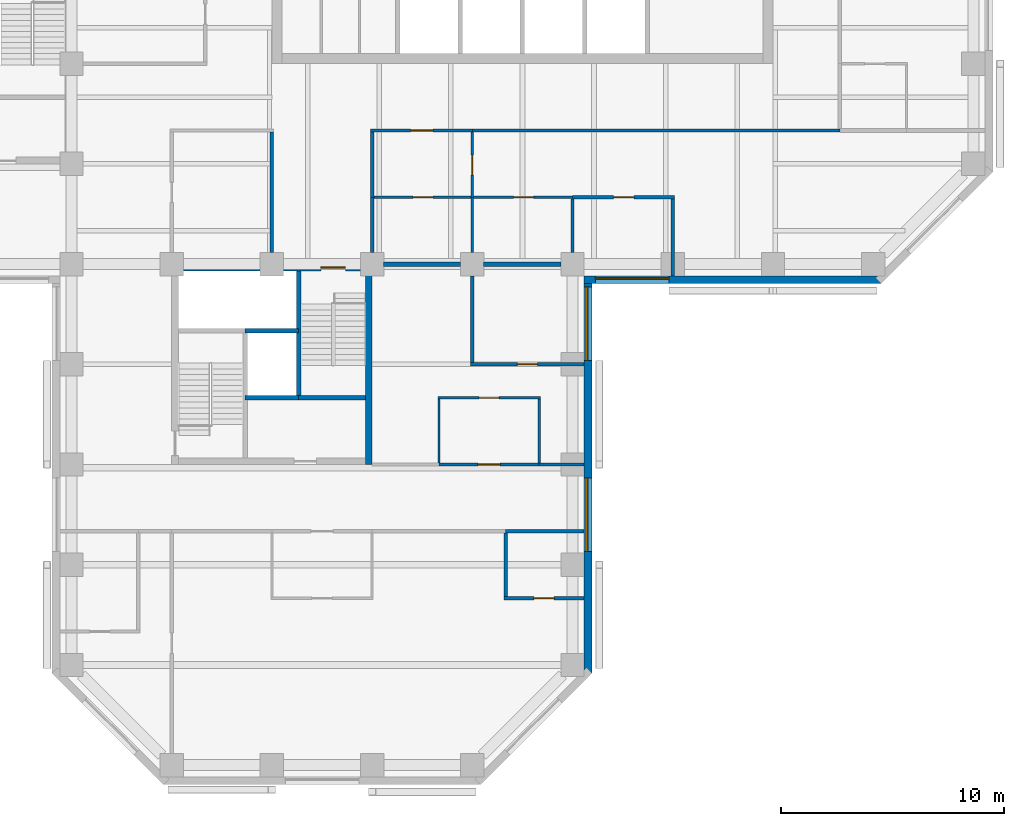
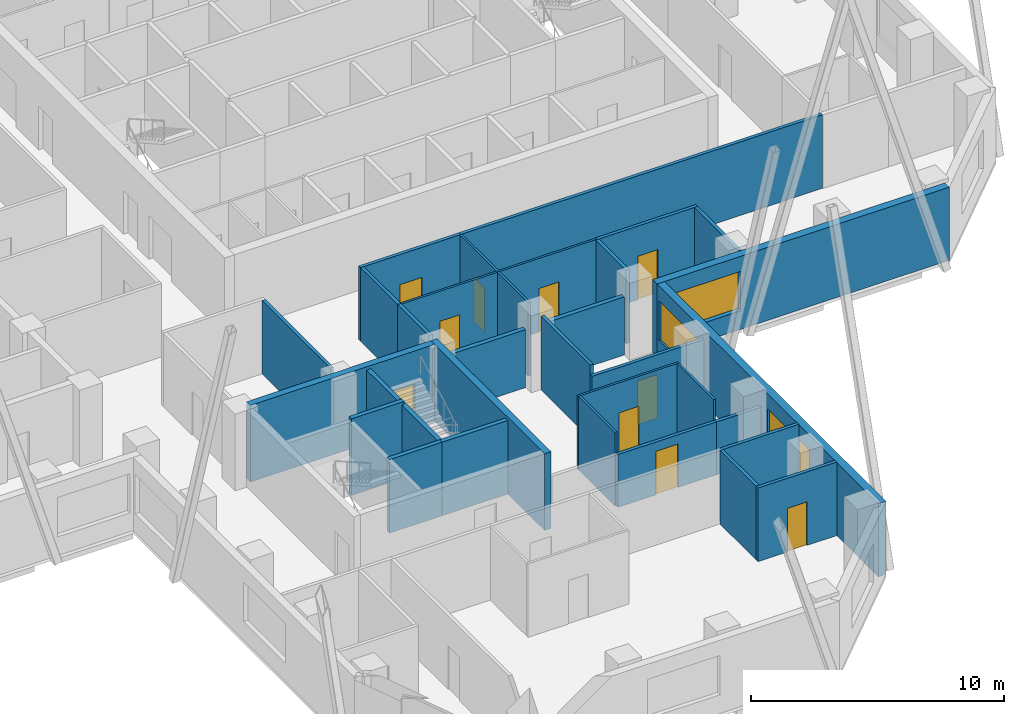
# One storey, part 4 of 10: 32 walls, 10 doors, 3 windows, 13 openings.
"""IFC4 building model written with IfcOpenShell, lengths in metres."""

from ifc_helpers import new_model, si_unit, direction, frame, frame_2d, origin, place, context, subcontext, project, spatial, rectangle, extrude, material, layer, layer_set, constituent, constituent_set, type_object, element, fill, save


model = new_model("IFC4")

# Units and contexts
model_context = context("Model", 3, precision=1e-05, world=origin(), true_north=direction((0.0, 1.0)))
body_context = subcontext(model_context, "Body", "Model", "MODEL_VIEW")
ifc_project = project(units=[si_unit("LENGTHUNIT", "METRE"), si_unit("AREAUNIT", "SQUARE_METRE"), si_unit("VOLUMEUNIT", "CUBIC_METRE"), si_unit("PLANEANGLEUNIT", "RADIAN"), si_unit("MASSUNIT", "GRAM", prefix="KILO")], contexts=[model_context])

# Site, building, storey
site_placement = place(None, origin())
site = spatial("IfcSite", under=ifc_project, at=site_placement, CompositionType="ELEMENT")
building_placement = place(site_placement, origin())
building = spatial("IfcBuilding", under=site, at=building_placement, Name="Quoin Convention Tower", CompositionType="ELEMENT")
storey_placement = place(building_placement, frame((0.0, 0.0, 97.39990234375)))
storey = spatial("IfcBuildingStorey", under=building, at=storey_placement, Name="L25", CompositionType="ELEMENT", Elevation=97.39990234375)

# Wall, opening, door
ifc_material_1 = material(Name="Plasterboard")
ifc_layer_1 = layer(ifc_material_1, 0.012451171875, Name="Finish")
ifc_material_2 = material(Name="Steel stud framing", Category="steel")
ifc_layer_2 = layer(ifc_material_2, 0.125, Name="Structure")
ifc_layer_3 = layer(ifc_material_1, 0.012451171875, Name="Finish")
ifc_layer_set_1 = layer_set([ifc_layer_1, ifc_layer_2, ifc_layer_3], Name="Steel stud framing")
wall_type_1 = type_object("IfcWallType", Name="Acoustic partition 150", PredefinedType="PARTITIONING", material=ifc_layer_set_1)
wall_1_placement = place(storey_placement, frame((58.5, 43.5, 0.0), z_axis=(0.0, 0.0, 1.0), x_axis=(1.0, 0.0, 0.0)))
wall_1 = element("IfcWall", 1, at=wall_1_placement, inside=storey, type_object=wall_type_1, Name="pw-L25-020", PredefinedType="PARTITIONING", context=body_context, shape_type="SweptSolid", body=[
    extrude(rectangle(XDim=4.574951171875, YDim=0.14990234375, at=frame_2d((2.28759765625, 0.0))), origin(), (0.0, 0.0, 1.0), 3.550048828125),
])
opening_1_placement = place(wall_1_placement, frame((1.85009765625, 0.0, 0.0)))
opening_1 = element("IfcOpeningElement", 2, at=opening_1_placement, cuts=wall_1, Name="Opening DOL3-10", PredefinedType="OPENING", context=body_context, shape_type="SweptSolid", body=[
    extrude(rectangle(XDim=0.89990234375, YDim=2.10009765625, at=frame_2d((0.449951171875, 1.050048828125))), frame((0.0, 0.0849609375, 0.0), z_axis=(0.0, -1.0, 0.0), x_axis=(1.0, 0.0, 0.0)), (0.0, 0.0, 1.0), 0.169921875),
])
ifc_material_3 = material(Name="Steel door leaf", Category="steel")
door_type_1 = type_object("IfcDoorType", Name="Office door 900 x 2100", OperationType="SINGLE_SWING_RIGHT", PredefinedType="DOOR", material=ifc_material_3)
door_1_placement = place(opening_1_placement, origin())
door_1 = element("IfcDoor", 3, at=door_1_placement, inside=storey, type_object=door_type_1, Name="dr-L25-16", OperationType="SINGLE_SWING_RIGHT", OverallHeight=2.10009765625, OverallWidth=0.89990234375, PredefinedType="DOOR", context=body_context, shape_type="SweptSolid", body=[
    extrude(rectangle(XDim=0.89990234375, YDim=2.10009765625, at=frame_2d((0.449951171875, 1.050048828125))), frame((0.0, 0.02490234375, 0.0), z_axis=(0.0, -1.0, 0.0), x_axis=(1.0, 0.0, 0.0)), (0.0, 0.0, 1.0), 0.050048828125),
])
fill(opening_1, door_1)

# Walls
wall_2_placement = place(storey_placement, frame((54.0, 36.074951171875, 0.0), z_axis=(0.0, 0.0, 1.0), x_axis=(0.0, 1.0, 0.0)))
element("IfcWall", 4, at=wall_2_placement, inside=storey, type_object=wall_type_1, Name="pw-L25-056", PredefinedType="PARTITIONING", context=body_context, shape_type="SweptSolid", body=[
    extrude(rectangle(XDim=3.900146484375, YDim=0.14990234375, at=frame_2d((1.9501953125, 0.0))), origin(), (0.0, 0.0, 1.0), 3.550048828125),
])
wall_3_placement = place(storey_placement, frame((63.0, 39.97509765625, 0.0), z_axis=(0.0, 0.0, 1.0), x_axis=(0.0, 1.0, 0.0)))
element("IfcWall", 5, at=wall_3_placement, inside=storey, type_object=wall_type_1, Name="pw-L25-059", PredefinedType="PARTITIONING", context=body_context, shape_type="SweptSolid", body=[
    extrude(rectangle(XDim=3.449951171875, YDim=0.14990234375, at=frame_2d((1.72509765625, 0.0))), origin(), (0.0, 0.0, 1.0), 3.550048828125),
])
wall_4_placement = place(storey_placement, frame((58.5, 41.02490234375, 0.0), z_axis=(0.0, 0.0, 1.0), x_axis=(0.0, 1.0, 0.0)))
element("IfcWall", 6, at=wall_4_placement, inside=storey, type_object=wall_type_1, Name="pw-L25-064", PredefinedType="PARTITIONING", context=body_context, shape_type="SweptSolid", body=[
    extrude(rectangle(XDim=2.400146484375, YDim=0.14990234375, at=frame_2d((1.2001953125, 0.0))), origin(), (0.0, 0.0, 1.0), 3.550048828125),
])

# Wall, opening, door
ifc_layer_4 = layer(ifc_material_1, 0.012451171875, Name="Finish")
ifc_layer_5 = layer(ifc_material_2, 0.125, Name="Structure")
ifc_layer_6 = layer(ifc_material_1, 0.012451171875, Name="Finish")
ifc_layer_set_2 = layer_set([ifc_layer_4, ifc_layer_5, ifc_layer_6], Name="Steel stud framing")
wall_type_2 = type_object("IfcWallType", Name="Acoustic partition 150 under beam 454", PredefinedType="PARTITIONING", material=ifc_layer_set_2)
wall_5_placement = place(storey_placement, frame((53.925048828125, 36.0, 0.0), z_axis=(0.0, 0.0, 1.0), x_axis=(1.0, 0.0, 0.0)))
wall_5 = element("IfcWall", 7, at=wall_5_placement, inside=storey, type_object=wall_type_2, Name="pw-L25-014", PredefinedType="PARTITIONING", context=body_context, shape_type="SweptSolid", body=[
    extrude(rectangle(XDim=5.099853515625, YDim=0.14990234375, at=frame_2d((2.5498046875, 0.0))), origin(), (0.0, 0.0, 1.0), 3.09619140625),
])
opening_2_placement = place(wall_5_placement, frame((2.10009765625, 0.0, 0.0)))
opening_2 = element("IfcOpeningElement", 8, at=opening_2_placement, cuts=wall_5, Name="Opening DOL3-07", PredefinedType="OPENING", context=body_context, shape_type="SweptSolid", body=[
    extrude(rectangle(XDim=0.89990234375, YDim=2.10009765625, at=frame_2d((0.449951171875, 1.050048828125))), frame((0.0, 0.0849609375, 0.0), z_axis=(0.0, -1.0, 0.0), x_axis=(1.0, 0.0, 0.0)), (0.0, 0.0, 1.0), 0.169921875),
])
door_2_placement = place(opening_2_placement, frame((0.89990234375, 0.0, 0.0), z_axis=(0.0, 0.0, 1.0), x_axis=(-1.0, 0.0, 0.0)))
door_2 = element("IfcDoor", 9, at=door_2_placement, inside=storey, type_object=door_type_1, Name="dr-L25-33", OperationType="SINGLE_SWING_LEFT", OverallHeight=2.10009765625, OverallWidth=0.89990234375, PredefinedType="DOOR", context=body_context, shape_type="SweptSolid", body=[
    extrude(rectangle(XDim=0.89990234375, YDim=2.10009765625, at=frame_2d((0.449951171875, 1.050048828125))), frame((0.0, 0.02490234375, 0.0), z_axis=(0.0, -1.0, 0.0), x_axis=(1.0, 0.0, 0.0)), (0.0, 0.0, 1.0), 0.050048828125),
])
fill(opening_2, door_2)

# Wall, opening, window
ifc_material_4 = material(Name="Brick masonry", Category="masonry")
ifc_layer_7 = layer(ifc_material_4, 0.35009765625)
ifc_layer_set_3 = layer_set([ifc_layer_7], Name="Brick masonry")
wall_type_3 = type_object("IfcWallType", Name="Brick facade wall", PredefinedType="STANDARD", material=ifc_layer_set_3)
wall_6_placement = place(storey_placement, frame((59.02490234375, 39.800048828125, 0.0), z_axis=(0.0, 0.0, 1.0), x_axis=(1.0, 0.0, 0.0)))
wall_6 = element("IfcWall", 10, at=wall_6_placement, inside=storey, type_object=wall_type_3, Name="fw-L25-58500_40500", PredefinedType="STANDARD", context=body_context, shape_type="SweptSolid", body=[
    extrude(rectangle(XDim=13.33740234375, YDim=0.35009765625, at=frame_2d((6.668701171875, 0.0))), origin(), (0.0, 0.0, 1.0), 3.525146484375),
])
opening_3_placement = place(wall_6_placement, frame((0.5, 0.0, 0.89990234375)))
opening_3 = element("IfcOpeningElement", 11, at=opening_3_placement, cuts=wall_6, Name="Opening W-02", PredefinedType="OPENING", context=body_context, shape_type="SweptSolid", body=[
    extrude(rectangle(XDim=3.300048828125, YDim=1.89990234375, at=frame_2d((1.64990234375, 0.949951171875))), frame((0.0, 0.18505859375, 0.0), z_axis=(0.0, -1.0, 0.0), x_axis=(1.0, 0.0, 0.0)), (0.0, 0.0, 1.0), 0.3701171875),
])
ifc_material_5 = material(Name="Aluminium", Category="aluminium")
ifc_constituent_1 = constituent(ifc_material_5, Name="Frame")
ifc_material_6 = material(Name="Insulated glass", Category="glass")
ifc_constituent_2 = constituent(ifc_material_6, Name="Glazing")
ifc_constituent_set = constituent_set(constituents=[ifc_constituent_1, ifc_constituent_2], Name="Aluminium")
window_type = type_object("IfcWindowType", Name="Office window", PartitioningType="DOUBLE_PANEL_VERTICAL", PredefinedType="WINDOW", material=ifc_constituent_set)
window_1_placement = place(opening_3_placement, origin())
window_1 = element("IfcWindow", 12, at=window_1_placement, inside=storey, type_object=window_type, Name="win-L25-60750_39800", OverallHeight=1.89990234375, OverallWidth=3.300048828125, PartitioningType="SINGLE_PANEL", PredefinedType="WINDOW", context=body_context, shape_type="SweptSolid", body=[
    extrude(rectangle(XDim=3.300048828125, YDim=1.89990234375, at=frame_2d((1.64990234375, 0.949951171875))), frame((0.0, 0.0849609375, 0.0), z_axis=(0.0, -1.0, 0.0), x_axis=(1.0, 0.0, 0.0)), (0.0, 0.0, 1.0), 0.06005859375),
])
fill(opening_3, window_1)

# Wall, openings, windows
wall_7_placement = place(storey_placement, frame((59.199951171875, 22.1376953125, 0.0), z_axis=(0.0, 0.0, 1.0), x_axis=(0.0, 1.0, 0.0)))
wall_7 = element("IfcWall", 13, at=wall_7_placement, inside=storey, type_object=wall_type_3, Name="fw-L25-58500_22500", PredefinedType="STANDARD", context=body_context, shape_type="SweptSolid", body=[
    extrude(rectangle(XDim=17.83740234375, YDim=0.35009765625, at=frame_2d((8.918701171875, 0.0))), origin(), (0.0, 0.0, 1.0), 3.525146484375),
])
opening_4_placement = place(wall_7_placement, frame((5.46240234375, 0.0, 0.89990234375)))
opening_4 = element("IfcOpeningElement", 14, at=opening_4_placement, cuts=wall_7, Name="Opening W-02", PredefinedType="OPENING", context=body_context, shape_type="SweptSolid", body=[
    extrude(rectangle(XDim=3.300048828125, YDim=1.89990234375, at=frame_2d((1.64990234375, 0.949951171875))), frame((0.0, 0.18505859375, 0.0), z_axis=(0.0, -1.0, 0.0), x_axis=(1.0, 0.0, 0.0)), (0.0, 0.0, 1.0), 0.3701171875),
])
opening_5_placement = place(wall_7_placement, frame((14.037353515625, 0.0, 0.89990234375)))
opening_5 = element("IfcOpeningElement", 15, at=opening_5_placement, cuts=wall_7, Name="Opening W-02", PredefinedType="OPENING", context=body_context, shape_type="SweptSolid", body=[
    extrude(rectangle(XDim=3.300048828125, YDim=1.89990234375, at=frame_2d((1.64990234375, 0.949951171875))), frame((0.0, 0.18505859375, 0.0), z_axis=(0.0, -1.0, 0.0), x_axis=(1.0, 0.0, 0.0)), (0.0, 0.0, 1.0), 0.3701171875),
])
window_2_placement = place(opening_4_placement, origin())
window_2 = element("IfcWindow", 16, at=window_2_placement, inside=storey, type_object=window_type, Name="win-L25-59200_29250", OverallHeight=1.89990234375, OverallWidth=3.300048828125, PartitioningType="SINGLE_PANEL", PredefinedType="WINDOW", context=body_context, shape_type="SweptSolid", body=[
    extrude(rectangle(XDim=3.300048828125, YDim=1.89990234375, at=frame_2d((1.64990234375, 0.949951171875))), frame((0.0, 0.0849609375, 0.0), z_axis=(0.0, -1.0, 0.0), x_axis=(1.0, 0.0, 0.0)), (0.0, 0.0, 1.0), 0.06005859375),
])
fill(opening_4, window_2)
window_3_placement = place(opening_5_placement, origin())
window_3 = element("IfcWindow", 17, at=window_3_placement, inside=storey, type_object=window_type, Name="win-L25-59200_38250", OverallHeight=1.89990234375, OverallWidth=3.300048828125, PartitioningType="SINGLE_PANEL", PredefinedType="WINDOW", context=body_context, shape_type="SweptSolid", body=[
    extrude(rectangle(XDim=3.300048828125, YDim=1.89990234375, at=frame_2d((1.64990234375, 0.949951171875))), frame((0.0, 0.0849609375, 0.0), z_axis=(0.0, -1.0, 0.0), x_axis=(1.0, 0.0, 0.0)), (0.0, 0.0, 1.0), 0.06005859375),
])
fill(opening_5, window_3)

# Walls
ifc_material_7 = material(Name="Concrete C50", Category="concrete")
ifc_layer_8 = layer(ifc_material_7, 0.199951171875)
ifc_layer_set_4 = layer_set([ifc_layer_8], Name="Concrete C50")
wall_type_4 = type_object("IfcWallType", Name="Core shaft wall", PredefinedType="SOLIDWALL", material=ifc_layer_set_4)
wall_8_placement = place(storey_placement, frame((43.800048828125, 34.5, 0.0), z_axis=(0.0, 0.0, 1.0), x_axis=(1.0, 0.0, 0.0)))
element("IfcWall", 18, at=wall_8_placement, inside=storey, type_object=wall_type_4, Name="cr-P3-L25-h3000_3300", PredefinedType="SOLIDWALL", context=body_context, shape_type="SweptSolid", body=[
    extrude(rectangle(XDim=2.39990234375, YDim=0.199951171875, at=frame_2d((1.199951171875, 0.0))), origin(), (0.0, 0.0, 1.0), 3.550048828125),
])
wall_9_placement = place(storey_placement, frame((46.199951171875, 34.5, 0.0), z_axis=(0.0, 0.0, 1.0), x_axis=(1.0, 0.0, 0.0)))
element("IfcWall", 19, at=wall_9_placement, inside=storey, type_object=wall_type_4, Name="cr-P3-L25-h3000_5700", PredefinedType="SOLIDWALL", context=body_context, shape_type="SweptSolid", body=[
    extrude(rectangle(XDim=3.0, YDim=0.199951171875, at=frame_2d((1.5, 0.0))), origin(), (0.0, 0.0, 1.0), 3.550048828125),
])
wall_10_placement = place(storey_placement, frame((46.199951171875, 34.5, 0.0), z_axis=(0.0, 0.0, 1.0), x_axis=(0.0, 1.0, 0.0)))
element("IfcWall", 20, at=wall_10_placement, inside=storey, type_object=wall_type_4, Name="cr-P3-L25-v5700_3000", PredefinedType="SOLIDWALL", context=body_context, shape_type="SweptSolid", body=[
    extrude(rectangle(XDim=5.699951171875, YDim=0.199951171875, at=frame_2d((2.85009765625, 0.0))), origin(), (0.0, 0.0, 1.0), 3.550048828125),
])
ifc_layer_9 = layer(ifc_material_7, 0.199951171875)
ifc_layer_set_5 = layer_set([ifc_layer_9], Name="Concrete C50")
wall_type_5 = type_object("IfcWallType", Name="Core shaft wall to the floor level over", PredefinedType="SOLIDWALL", material=ifc_layer_set_5)
wall_11_placement = place(storey_placement, frame((43.800048828125, 37.5, 0.0), z_axis=(0.0, 0.0, 1.0), x_axis=(1.0, 0.0, 0.0)))
element("IfcWall", 21, at=wall_11_placement, inside=storey, type_object=wall_type_5, Name="cr-P3-L25-h6000_3300", PredefinedType="SOLIDWALL", context=body_context, shape_type="SweptSolid", body=[
    extrude(rectangle(XDim=2.39990234375, YDim=0.199951171875, at=frame_2d((1.199951171875, 0.0))), origin(), (0.0, 0.0, 1.0), 3.7001953125),
])
ifc_layer_10 = layer(ifc_material_1, 0.012451171875, Name="Finish")
ifc_layer_11 = layer(ifc_material_2, 0.125, Name="Structure")
ifc_layer_12 = layer(ifc_material_1, 0.012451171875, Name="Finish")
ifc_layer_set_6 = layer_set([ifc_layer_10, ifc_layer_11, ifc_layer_12], Name="Steel stud framing")
wall_type_6 = type_object("IfcWallType", Name="Corridor wall 150", PredefinedType="PARTITIONING", material=ifc_layer_set_6)
wall_12_placement = place(storey_placement, frame((55.5, 28.5, 0.0), z_axis=(0.0, 0.0, 1.0), x_axis=(1.0, 0.0, 0.0)))
element("IfcWall", 22, at=wall_12_placement, inside=storey, type_object=wall_type_6, Name="pw-L25-009", PredefinedType="PARTITIONING", context=body_context, shape_type="SweptSolid", body=[
    extrude(rectangle(XDim=3.52490234375, YDim=0.14990234375, at=frame_2d((1.762451171875, 0.0))), origin(), (0.0, 0.0, 1.0), 3.550048828125),
])

# Wall, opening, door
wall_13_placement = place(storey_placement, frame((49.425048828125, 46.5, 0.0), z_axis=(0.0, 0.0, 1.0), x_axis=(1.0, 0.0, 0.0)))
wall_13 = element("IfcWall", 23, at=wall_13_placement, inside=storey, type_object=wall_type_6, Name="pw-L25-024", PredefinedType="PARTITIONING", context=body_context, shape_type="SweptSolid", body=[
    extrude(rectangle(XDim=4.574951171875, YDim=0.14990234375, at=frame_2d((2.28759765625, 0.0))), origin(), (0.0, 0.0, 1.0), 3.550048828125),
])
opening_6_placement = place(wall_13_placement, frame((1.800048828125, 0.0, 0.0)))
opening_6 = element("IfcOpeningElement", 24, at=opening_6_placement, cuts=wall_13, Name="Opening DOL3-11", PredefinedType="OPENING", context=body_context, shape_type="SweptSolid", body=[
    extrude(rectangle(XDim=1.0, YDim=2.10009765625, at=frame_2d((0.5, 1.050048828125))), frame((0.0, 0.0849609375, 0.0), z_axis=(0.0, -1.0, 0.0), x_axis=(1.0, 0.0, 0.0)), (0.0, 0.0, 1.0), 0.169921875),
])
door_type_2 = type_object("IfcDoorType", Name="Tenancy entrance door 1000 x 2100", OperationType="DOUBLE_DOOR_SINGLE_SWING", PredefinedType="DOOR", material=ifc_material_3)
door_3_placement = place(opening_6_placement, frame((1.0, 0.0, 0.0), z_axis=(0.0, 0.0, 1.0), x_axis=(-1.0, 0.0, 0.0)))
door_3 = element("IfcDoor", 25, at=door_3_placement, inside=storey, type_object=door_type_2, Name="dr-L25-12", OperationType="DOUBLE_DOOR_SINGLE_SWING", OverallHeight=2.10009765625, OverallWidth=1.0, PredefinedType="DOOR", context=body_context, shape_type="SweptSolid", body=[
    extrude(rectangle(XDim=1.0, YDim=2.10009765625, at=frame_2d((0.5, 1.050048828125))), frame((0.0, 0.02490234375, 0.0), z_axis=(0.0, -1.0, 0.0), x_axis=(1.0, 0.0, 0.0)), (0.0, 0.0, 1.0), 0.050048828125),
])
fill(opening_6, door_3)

# Walls
wall_14_placement = place(storey_placement, frame((54.0, 46.5, 0.0), z_axis=(0.0, 0.0, 1.0), x_axis=(1.0, 0.0, 0.0)))
element("IfcWall", 26, at=wall_14_placement, inside=storey, type_object=wall_type_6, Name="pw-L25-025", PredefinedType="PARTITIONING", context=body_context, shape_type="SweptSolid", body=[
    extrude(rectangle(XDim=16.5, YDim=0.14990234375, at=frame_2d((8.25, 0.0))), origin(), (0.0, 0.0, 1.0), 3.550048828125),
])
wall_15_placement = place(storey_placement, frame((45.0, 41.02490234375, 0.0), z_axis=(0.0, 0.0, 1.0), x_axis=(0.0, 1.0, 0.0)))
element("IfcWall", 27, at=wall_15_placement, inside=storey, type_object=wall_type_6, Name="pw-L25-061", PredefinedType="PARTITIONING", context=body_context, shape_type="SweptSolid", body=[
    extrude(rectangle(XDim=5.400146484375, YDim=0.14990234375, at=frame_2d((2.7001953125, 0.0))), origin(), (0.0, 0.0, 1.0), 3.550048828125),
])
wall_16_placement = place(storey_placement, frame((49.5, 41.02490234375, 0.0), z_axis=(0.0, 0.0, 1.0), x_axis=(0.0, 1.0, 0.0)))
element("IfcWall", 28, at=wall_16_placement, inside=storey, type_object=wall_type_6, Name="pw-L25-062", PredefinedType="PARTITIONING", context=body_context, shape_type="SweptSolid", body=[
    extrude(rectangle(XDim=2.47509765625, YDim=0.14990234375, at=frame_2d((1.237548828125, 0.0))), origin(), (0.0, 0.0, 1.0), 3.550048828125),
])
wall_17_placement = place(storey_placement, frame((49.5, 43.5, 0.0), z_axis=(0.0, 0.0, 1.0), x_axis=(0.0, 1.0, 0.0)))
element("IfcWall", 29, at=wall_17_placement, inside=storey, type_object=wall_type_6, Name="pw-L25-066", PredefinedType="PARTITIONING", context=body_context, shape_type="SweptSolid", body=[
    extrude(rectangle(XDim=2.925048828125, YDim=0.14990234375, at=frame_2d((1.46240234375, 0.0))), origin(), (0.0, 0.0, 1.0), 3.550048828125),
])

# Wall, opening, door
ifc_layer_13 = layer(ifc_material_1, 0.012451171875, Name="Finish")
ifc_layer_14 = layer(ifc_material_2, 0.125, Name="Structure")
ifc_layer_15 = layer(ifc_material_1, 0.012451171875, Name="Finish")
ifc_layer_set_7 = layer_set([ifc_layer_13, ifc_layer_14, ifc_layer_15], Name="Steel stud framing")
wall_type_7 = type_object("IfcWallType", Name="Corridor wall 150 under beam 1000", PredefinedType="PARTITIONING", material=ifc_layer_set_7)
wall_18_placement = place(storey_placement, frame((52.5, 31.5, 0.0), z_axis=(0.0, 0.0, 1.0), x_axis=(1.0, 0.0, 0.0)))
wall_18 = element("IfcWall", 30, at=wall_18_placement, inside=storey, type_object=wall_type_7, Name="pw-L25-011", PredefinedType="PARTITIONING", context=body_context, shape_type="SweptSolid", body=[
    extrude(rectangle(XDim=4.5, YDim=0.14990234375, at=frame_2d((2.25, 0.0))), origin(), (0.0, 0.0, 1.0), 2.550048828125),
])
opening_7_placement = place(wall_18_placement, frame((1.75, 0.0, 0.0)))
opening_7 = element("IfcOpeningElement", 31, at=opening_7_placement, cuts=wall_18, Name="Opening DOL3-05", PredefinedType="OPENING", context=body_context, shape_type="SweptSolid", body=[
    extrude(rectangle(XDim=1.0, YDim=2.10009765625, at=frame_2d((0.5, 1.050048828125))), frame((0.0, 0.0849609375, 0.0), z_axis=(0.0, -1.0, 0.0), x_axis=(1.0, 0.0, 0.0)), (0.0, 0.0, 1.0), 0.169921875),
])
door_4_placement = place(opening_7_placement, origin())
door_4 = element("IfcDoor", 32, at=door_4_placement, inside=storey, type_object=door_type_2, Name="dr-L25-31", OperationType="DOUBLE_DOOR_SINGLE_SWING", OverallHeight=2.10009765625, OverallWidth=1.0, PredefinedType="DOOR", context=body_context, shape_type="SweptSolid", body=[
    extrude(rectangle(XDim=1.0, YDim=2.10009765625, at=frame_2d((0.5, 1.050048828125))), frame((0.0, 0.02490234375, 0.0), z_axis=(0.0, -1.0, 0.0), x_axis=(1.0, 0.0, 0.0)), (0.0, 0.0, 1.0), 0.050048828125),
])
fill(opening_7, door_4)

# Wall
wall_19_placement = place(storey_placement, frame((57.0, 31.5, 0.0), z_axis=(0.0, 0.0, 1.0), x_axis=(1.0, 0.0, 0.0)))
element("IfcWall", 33, at=wall_19_placement, inside=storey, type_object=wall_type_7, Name="pw-L25-012", PredefinedType="PARTITIONING", context=body_context, shape_type="SweptSolid", body=[
    extrude(rectangle(XDim=2.02490234375, YDim=0.14990234375, at=frame_2d((1.012451171875, 0.0))), origin(), (0.0, 0.0, 1.0), 2.550048828125),
])

# Wall, opening, door
ifc_material_8 = material(Name="Concrete C65", Category="concrete")
ifc_layer_16 = layer(ifc_material_8, 0.300048828125)
ifc_layer_set_8 = layer_set([ifc_layer_16], Name="Concrete C65")
wall_type_8 = type_object("IfcWallType", Name="RC CORE WALL 300 C65", PredefinedType="SHEAR", material=ifc_layer_set_8)
wall_20_placement = place(storey_placement, frame((40.800048828125, 40.35009765625, 0.0), z_axis=(0.0, 0.0, 1.0), x_axis=(1.0, 0.0, 0.0)))
wall_20 = element("IfcWall", 34, at=wall_20_placement, inside=storey, type_object=wall_type_8, Name="cwl-P3-L25-N", PredefinedType="SHEAR", context=body_context, shape_type="SweptSolid", body=[
    extrude(rectangle(XDim=8.39990234375, YDim=0.300048828125, at=frame_2d((4.199951171875, 0.0))), origin(), (0.0, 0.0, 1.0), 3.7001953125),
])
opening_8_placement = place(wall_20_placement, frame((6.39990234375, 0.0, 0.0)))
opening_8 = element("IfcOpeningElement", 35, at=opening_8_placement, cuts=wall_20, Name="Opening SD6", PredefinedType="OPENING", context=body_context, shape_type="SweptSolid", body=[
    extrude(rectangle(XDim=1.10009765625, YDim=2.10009765625, at=frame_2d((0.550048828125, 1.050048828125))), frame((0.0, 0.159912109375, 0.0), z_axis=(0.0, -1.0, 0.0), x_axis=(1.0, 0.0, 0.0)), (0.0, 0.0, 1.0), 0.320068359375),
])
door_type_3 = type_object("IfcDoorType", Name="Stair door 1100 x 2100", OperationType="SINGLE_SWING_RIGHT", PredefinedType="DOOR", material=ifc_material_3)
door_5_placement = place(opening_8_placement, frame((1.10009765625, 0.0, 0.0), z_axis=(0.0, 0.0, 1.0), x_axis=(-1.0, 0.0, 0.0)))
door_5 = element("IfcDoor", 36, at=door_5_placement, inside=storey, type_object=door_type_3, Name="cd-P3-L25-SB-N", OperationType="SINGLE_SWING_LEFT", OverallHeight=2.10009765625, OverallWidth=1.10009765625, PredefinedType="DOOR", context=body_context, shape_type="SweptSolid", body=[
    extrude(rectangle(XDim=1.10009765625, YDim=2.10009765625, at=frame_2d((0.550048828125, 1.050048828125))), frame((0.0, 0.02490234375, 0.0), z_axis=(0.0, -1.0, 0.0), x_axis=(1.0, 0.0, 0.0)), (0.0, 0.0, 1.0), 0.050048828125),
])
fill(opening_8, door_5)

# Wall
wall_21_placement = place(storey_placement, frame((49.35009765625, 31.5, 0.0), z_axis=(0.0, 0.0, 1.0), x_axis=(0.0, 1.0, 0.0)))
element("IfcWall", 37, at=wall_21_placement, inside=storey, type_object=wall_type_8, Name="cwl-P3-L25-E", PredefinedType="SHEAR", context=body_context, shape_type="SweptSolid", body=[
    extrude(rectangle(XDim=9.0, YDim=0.300048828125, at=frame_2d((4.5, 0.0))), origin(), (0.0, 0.0, 1.0), 3.7001953125),
])

# Wall, opening, door
ifc_layer_17 = layer(ifc_material_1, 0.012451171875, Name="Finish")
ifc_layer_18 = layer(ifc_material_2, 0.074951171875, Name="Structure")
ifc_layer_19 = layer(ifc_material_1, 0.012451171875, Name="Finish")
ifc_layer_set_9 = layer_set([ifc_layer_17, ifc_layer_18, ifc_layer_19], Name="Steel stud framing")
wall_type_9 = type_object("IfcWallType", Name="Stud partition 100", PredefinedType="PARTITIONING", material=ifc_layer_set_9)
wall_22_placement = place(storey_placement, frame((52.449951171875, 34.5, 0.0), z_axis=(0.0, 0.0, 1.0), x_axis=(1.0, 0.0, 0.0)))
wall_22 = element("IfcWall", 38, at=wall_22_placement, inside=storey, type_object=wall_type_9, Name="pw-L25-013", PredefinedType="PARTITIONING", context=body_context, shape_type="SweptSolid", body=[
    extrude(rectangle(XDim=4.60009765625, YDim=0.10009765625, at=frame_2d((2.300048828125, 0.0))), origin(), (0.0, 0.0, 1.0), 3.550048828125),
])
opening_9_placement = place(wall_22_placement, frame((1.85009765625, 0.0, 0.0)))
opening_9 = element("IfcOpeningElement", 39, at=opening_9_placement, cuts=wall_22, Name="Opening DOL3-06", PredefinedType="OPENING", context=body_context, shape_type="SweptSolid", body=[
    extrude(rectangle(XDim=0.89990234375, YDim=2.10009765625, at=frame_2d((0.449951171875, 1.050048828125))), frame((0.0, 0.06005859375, 0.0), z_axis=(0.0, -1.0, 0.0), x_axis=(1.0, 0.0, 0.0)), (0.0, 0.0, 1.0), 0.1201171875),
])
door_6_placement = place(opening_9_placement, origin())
door_6 = element("IfcDoor", 40, at=door_6_placement, inside=storey, type_object=door_type_1, Name="dr-L25-32", OperationType="SINGLE_SWING_RIGHT", OverallHeight=2.10009765625, OverallWidth=0.89990234375, PredefinedType="DOOR", context=body_context, shape_type="SweptSolid", body=[
    extrude(rectangle(XDim=0.89990234375, YDim=2.10009765625, at=frame_2d((0.449951171875, 1.050048828125))), frame((0.0, 0.02490234375, 0.0), z_axis=(0.0, -1.0, 0.0), x_axis=(1.0, 0.0, 0.0)), (0.0, 0.0, 1.0), 0.050048828125),
])
fill(opening_9, door_6)

wall_23_placement = place(storey_placement, frame((49.574951171875, 43.5, 0.0), z_axis=(0.0, 0.0, 1.0), x_axis=(1.0, 0.0, 0.0)))
wall_23 = element("IfcWall", 41, at=wall_23_placement, inside=storey, type_object=wall_type_9, Name="pw-L25-018", PredefinedType="PARTITIONING", context=body_context, shape_type="SweptSolid", body=[
    extrude(rectangle(XDim=4.375, YDim=0.10009765625, at=frame_2d((2.1875, 0.0))), origin(), (0.0, 0.0, 1.0), 3.550048828125),
])
opening_10_placement = place(wall_23_placement, frame((1.75, 0.0, 0.0)))
opening_10 = element("IfcOpeningElement", 42, at=opening_10_placement, cuts=wall_23, Name="Opening DOL3-08", PredefinedType="OPENING", context=body_context, shape_type="SweptSolid", body=[
    extrude(rectangle(XDim=0.89990234375, YDim=2.10009765625, at=frame_2d((0.449951171875, 1.050048828125))), frame((0.0, 0.06005859375, 0.0), z_axis=(0.0, -1.0, 0.0), x_axis=(1.0, 0.0, 0.0)), (0.0, 0.0, 1.0), 0.1201171875),
])
door_7_placement = place(opening_10_placement, origin())
door_7 = element("IfcDoor", 43, at=door_7_placement, inside=storey, type_object=door_type_1, Name="dr-L25-14", OperationType="SINGLE_SWING_RIGHT", OverallHeight=2.10009765625, OverallWidth=0.89990234375, PredefinedType="DOOR", context=body_context, shape_type="SweptSolid", body=[
    extrude(rectangle(XDim=0.89990234375, YDim=2.10009765625, at=frame_2d((0.449951171875, 1.050048828125))), frame((0.0, 0.02490234375, 0.0), z_axis=(0.0, -1.0, 0.0), x_axis=(1.0, 0.0, 0.0)), (0.0, 0.0, 1.0), 0.050048828125),
])
fill(opening_10, door_7)

wall_24_placement = place(storey_placement, frame((54.050048828125, 43.5, 0.0), z_axis=(0.0, 0.0, 1.0), x_axis=(1.0, 0.0, 0.0)))
wall_24 = element("IfcWall", 44, at=wall_24_placement, inside=storey, type_object=wall_type_9, Name="pw-L25-019", PredefinedType="PARTITIONING", context=body_context, shape_type="SweptSolid", body=[
    extrude(rectangle(XDim=4.449951171875, YDim=0.10009765625, at=frame_2d((2.22509765625, 0.0))), origin(), (0.0, 0.0, 1.0), 3.550048828125),
])
opening_11_placement = place(wall_24_placement, frame((1.800048828125, 0.0, 0.0)))
opening_11 = element("IfcOpeningElement", 45, at=opening_11_placement, cuts=wall_24, Name="Opening DOL3-09", PredefinedType="OPENING", context=body_context, shape_type="SweptSolid", body=[
    extrude(rectangle(XDim=0.89990234375, YDim=2.10009765625, at=frame_2d((0.449951171875, 1.050048828125))), frame((0.0, 0.06005859375, 0.0), z_axis=(0.0, -1.0, 0.0), x_axis=(1.0, 0.0, 0.0)), (0.0, 0.0, 1.0), 0.1201171875),
])
door_8_placement = place(opening_11_placement, origin())
door_8 = element("IfcDoor", 46, at=door_8_placement, inside=storey, type_object=door_type_1, Name="dr-L25-15", OperationType="SINGLE_SWING_RIGHT", OverallHeight=2.10009765625, OverallWidth=0.89990234375, PredefinedType="DOOR", context=body_context, shape_type="SweptSolid", body=[
    extrude(rectangle(XDim=0.89990234375, YDim=2.10009765625, at=frame_2d((0.449951171875, 1.050048828125))), frame((0.0, 0.02490234375, 0.0), z_axis=(0.0, -1.0, 0.0), x_axis=(1.0, 0.0, 0.0)), (0.0, 0.0, 1.0), 0.050048828125),
])
fill(opening_11, door_8)

# Walls
for number, where, z_axis, x_axis, name in (
    (47, (52.5, 31.574951171875, 0.0), (0.0, 0.0, 1.0), (0.0, 1.0, 0.0), "pw-L25-054"),
    (48, (57.0, 31.574951171875, 0.0), (0.0, 0.0, 1.0), (0.0, 1.0, 0.0), "pw-L25-055"),
):
    element("IfcWall", number, at=place(storey_placement, frame(where, z_axis=z_axis, x_axis=x_axis)), inside=storey, type_object=wall_type_9, Name=name, PredefinedType="PARTITIONING", context=body_context, shape_type="SweptSolid", body=[
        extrude(rectangle(XDim=2.875, YDim=0.10009765625, at=frame_2d((1.4375, 0.0))), origin(), (0.0, 0.0, 1.0), 3.550048828125),
    ])
wall_25_placement = place(storey_placement, frame((54.0, 41.02490234375, 0.0), z_axis=(0.0, 0.0, 1.0), x_axis=(0.0, 1.0, 0.0)))
element("IfcWall", 49, at=wall_25_placement, inside=storey, type_object=wall_type_9, Name="pw-L25-063", PredefinedType="PARTITIONING", context=body_context, shape_type="SweptSolid", body=[
    extrude(rectangle(XDim=2.47509765625, YDim=0.10009765625, at=frame_2d((1.237548828125, 0.0))), origin(), (0.0, 0.0, 1.0), 3.550048828125),
])

# Wall, opening, door
wall_26_placement = place(storey_placement, frame((54.0, 43.5, 0.0), z_axis=(0.0, 0.0, 1.0), x_axis=(0.0, 1.0, 0.0)))
wall_26 = element("IfcWall", 50, at=wall_26_placement, inside=storey, type_object=wall_type_9, Name="pw-L25-067", PredefinedType="PARTITIONING", context=body_context, shape_type="SweptSolid", body=[
    extrude(rectangle(XDim=2.925048828125, YDim=0.10009765625, at=frame_2d((1.46240234375, 0.0))), origin(), (0.0, 0.0, 1.0), 3.550048828125),
])
opening_12_placement = place(wall_26_placement, frame((1.0, 0.0, 0.0)))
opening_12 = element("IfcOpeningElement", 51, at=opening_12_placement, cuts=wall_26, Name="Opening DOL3-25", PredefinedType="OPENING", context=body_context, shape_type="SweptSolid", body=[
    extrude(rectangle(XDim=0.89990234375, YDim=2.10009765625, at=frame_2d((0.449951171875, 1.050048828125))), frame((0.0, 0.06005859375, 0.0), z_axis=(0.0, -1.0, 0.0), x_axis=(1.0, 0.0, 0.0)), (0.0, 0.0, 1.0), 0.1201171875),
])
door_9_placement = place(opening_12_placement, frame((0.89990234375, 0.0, 0.0), z_axis=(0.0, 0.0, 1.0), x_axis=(-1.0, 0.0, 0.0)))
door_9 = element("IfcDoor", 52, at=door_9_placement, inside=storey, type_object=door_type_1, Name="dr-L25-13", OperationType="SINGLE_SWING_RIGHT", OverallHeight=2.10009765625, OverallWidth=0.89990234375, PredefinedType="DOOR", context=body_context, shape_type="SweptSolid", body=[
    extrude(rectangle(XDim=0.89990234375, YDim=2.10009765625, at=frame_2d((0.449951171875, 1.050048828125))), frame((0.0, 0.02490234375, 0.0), z_axis=(0.0, -1.0, 0.0), x_axis=(1.0, 0.0, 0.0)), (0.0, 0.0, 1.0), 0.050048828125),
])
fill(opening_12, door_9)

# Walls
ifc_layer_20 = layer(ifc_material_1, 0.012451171875, Name="Finish")
ifc_layer_21 = layer(ifc_material_2, 0.175048828125, Name="Structure")
ifc_layer_22 = layer(ifc_material_1, 0.012451171875, Name="Finish")
ifc_layer_set_10 = layer_set([ifc_layer_20, ifc_layer_21, ifc_layer_22], Name="Steel stud framing")
wall_type_10 = type_object("IfcWallType", Name="Tenancy demising wall 200 under beam 750", PredefinedType="PARTITIONING", material=ifc_layer_set_10)
wall_27_placement = place(storey_placement, frame((50.014892578125, 40.5, 0.0), z_axis=(0.0, 0.0, 1.0), x_axis=(1.0, 0.0, 0.0)))
element("IfcWall", 53, at=wall_27_placement, inside=storey, type_object=wall_type_10, Name="pw-L25-015", PredefinedType="PARTITIONING", context=body_context, shape_type="SweptSolid", body=[
    extrude(rectangle(XDim=3.460205078125, YDim=0.199951171875, at=frame_2d((1.72998046875, 0.0))), origin(), (0.0, 0.0, 1.0), 2.800048828125),
])
wall_28_placement = place(storey_placement, frame((54.4951171875, 40.5, 0.0), z_axis=(0.0, 0.0, 1.0), x_axis=(1.0, 0.0, 0.0)))
element("IfcWall", 54, at=wall_28_placement, inside=storey, type_object=wall_type_10, Name="pw-L25-016", PredefinedType="PARTITIONING", context=body_context, shape_type="SweptSolid", body=[
    extrude(rectangle(XDim=3.47998046875, YDim=0.199951171875, at=frame_2d((1.739990234375, 0.0))), origin(), (0.0, 0.0, 1.0), 2.800048828125),
])

# Wall, opening, door
ifc_layer_23 = layer(ifc_material_1, 0.012451171875, Name="Finish")
ifc_layer_24 = layer(ifc_material_2, 0.125, Name="Structure")
ifc_layer_25 = layer(ifc_material_1, 0.012451171875, Name="Finish")
ifc_layer_set_11 = layer_set([ifc_layer_23, ifc_layer_24, ifc_layer_25], Name="Steel stud framing")
wall_type_11 = type_object("IfcWallType", Name="Wet area partition 150", PredefinedType="PARTITIONING", material=ifc_layer_set_11)
wall_29_placement = place(storey_placement, frame((55.425048828125, 25.5, 0.0), z_axis=(0.0, 0.0, 1.0), x_axis=(1.0, 0.0, 0.0)))
wall_29 = element("IfcWall", 55, at=wall_29_placement, inside=storey, type_object=wall_type_11, Name="pw-L25-003", PredefinedType="PARTITIONING", context=body_context, shape_type="SweptSolid", body=[
    extrude(rectangle(XDim=3.599853515625, YDim=0.14990234375, at=frame_2d((1.7998046875, 0.0))), origin(), (0.0, 0.0, 1.0), 3.550048828125),
])
opening_13_placement = place(wall_29_placement, frame((1.35009765625, 0.0, 0.0)))
opening_13 = element("IfcOpeningElement", 56, at=opening_13_placement, cuts=wall_29, Name="Opening DOL3-03", PredefinedType="OPENING", context=body_context, shape_type="SweptSolid", body=[
    extrude(rectangle(XDim=0.89990234375, YDim=2.10009765625, at=frame_2d((0.449951171875, 1.050048828125))), frame((0.0, 0.0849609375, 0.0), z_axis=(0.0, -1.0, 0.0), x_axis=(1.0, 0.0, 0.0)), (0.0, 0.0, 1.0), 0.169921875),
])
door_10_placement = place(opening_13_placement, frame((0.89990234375, 0.0, 0.0), z_axis=(0.0, 0.0, 1.0), x_axis=(-1.0, 0.0, 0.0)))
door_10 = element("IfcDoor", 57, at=door_10_placement, inside=storey, type_object=door_type_1, Name="dr-L25-09", OperationType="SINGLE_SWING_LEFT", OverallHeight=2.10009765625, OverallWidth=0.89990234375, PredefinedType="DOOR", context=body_context, shape_type="SweptSolid", body=[
    extrude(rectangle(XDim=0.89990234375, YDim=2.10009765625, at=frame_2d((0.449951171875, 1.050048828125))), frame((0.0, 0.02490234375, 0.0), z_axis=(0.0, -1.0, 0.0), x_axis=(1.0, 0.0, 0.0)), (0.0, 0.0, 1.0), 0.050048828125),
])
fill(opening_13, door_10)

# Wall
wall_30_placement = place(storey_placement, frame((55.5, 25.574951171875, 0.0), z_axis=(0.0, 0.0, 1.0), x_axis=(0.0, 1.0, 0.0)))
element("IfcWall", 58, at=wall_30_placement, inside=storey, type_object=wall_type_11, Name="pw-L25-053", PredefinedType="PARTITIONING", context=body_context, shape_type="SweptSolid", body=[
    extrude(rectangle(XDim=2.85009765625, YDim=0.14990234375, at=frame_2d((1.425048828125, 0.0))), origin(), (0.0, 0.0, 1.0), 3.550048828125),
])

save(model, "model.ifc")
